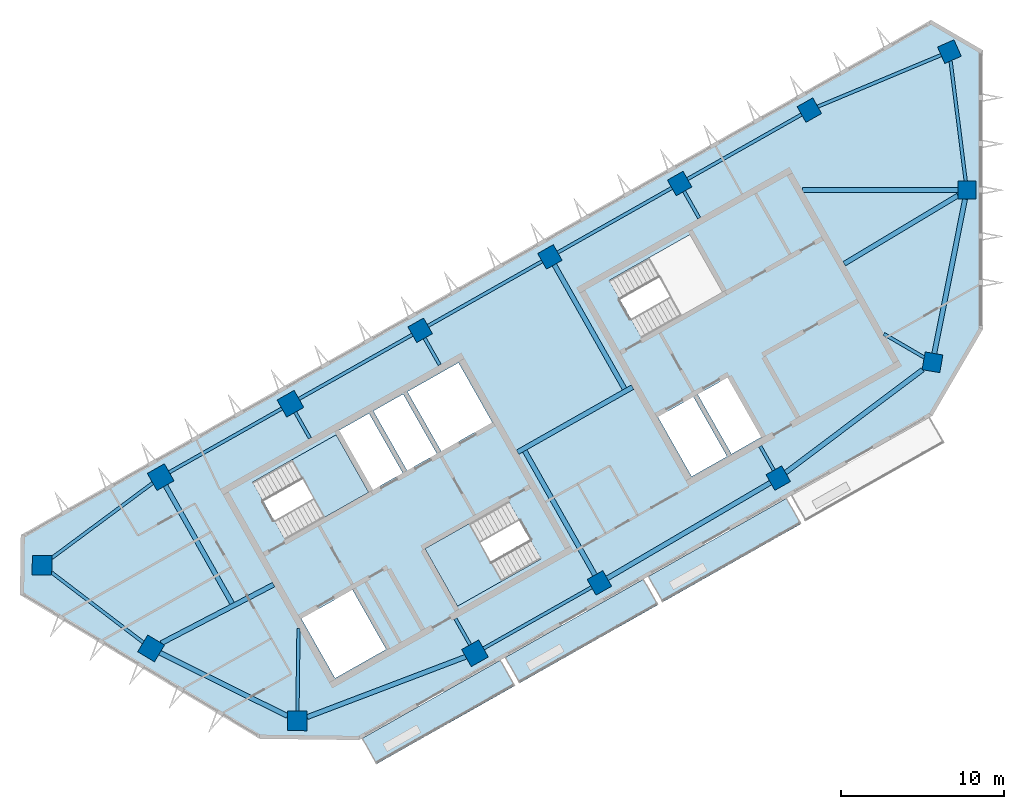
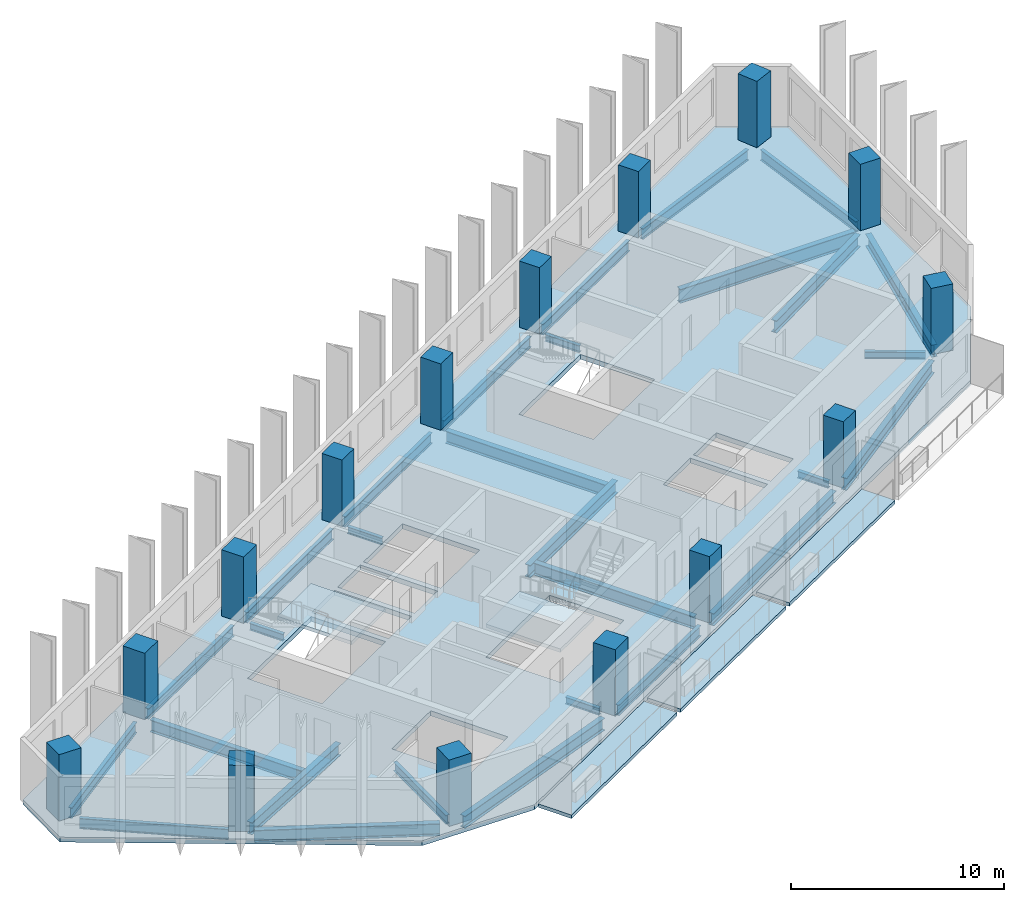
# One storey, part 1 of 8: 29 beams, 15 columns, 6 slabs, 2 elements without a shape of their own.
"""IFC4 building model written with IfcOpenShell, lengths in metres."""

from ifc_helpers import new_model, si_unit, direction, frame, origin, origin_2d, place, context, subcontext, project, spatial, polyline, rectangle, i_section, outline, extrude, material, layer, layer_set, material_profile, profile_set, type_object, element, aggregate, save


model = new_model("IFC4")

# Units and contexts
model_context = context("Model", 3, precision=1e-05, world=origin(), true_north=direction((0.0, 1.0)))
body_context = subcontext(model_context, "Body", "Model", "MODEL_VIEW")
ifc_project = project(units=[si_unit("LENGTHUNIT", "METRE"), si_unit("AREAUNIT", "SQUARE_METRE"), si_unit("VOLUMEUNIT", "CUBIC_METRE"), si_unit("PLANEANGLEUNIT", "RADIAN"), si_unit("MASSUNIT", "GRAM", prefix="KILO")], contexts=[model_context])

# Site, building, storey
site_placement = place(None, origin())
site = spatial("IfcSite", under=ifc_project, at=site_placement, CompositionType="ELEMENT")
building_placement = place(site_placement, origin())
building = spatial("IfcBuilding", under=site, at=building_placement, Name="Binnacle Exchange Tower", CompositionType="ELEMENT")
storey_placement = place(building_placement, frame((0.0, 0.0, 300.699951171875)))
storey = spatial("IfcBuildingStorey", under=building, at=storey_placement, Name="L67", CompositionType="ELEMENT", Elevation=300.699951171875)

# Columns
ifc_material_1 = material(Name="Concrete C60/75", Category="concrete")
ifc_material_profile_1 = material_profile(ifc_material_1, rectangle(XDim=1.10009765625, YDim=1.10009765625, at=origin_2d()), Name="Mega column 1100x1100 C60/75")
ifc_profile_set_1 = profile_set([ifc_material_profile_1], Name="Concrete C60/75")
column_type_1 = type_object("IfcColumnType", Name="Mega column 1100x1100 C60/75", PredefinedType="COLUMN", material=ifc_profile_set_1)
for number, where, z_axis, x_axis, name in (
    (1, (-10.4951171875, 64.901611328125, 0.0), (0.0, 0.0, 1.0), (-0.87035569594, -0.492423560103, 0.0), "S:COL:MC38:L67"),
    (2, (-18.44140625, 60.406005859375, 0.0), (0.0, 0.0, 1.0), (-0.87035569594, -0.492423560103, 0.0), "S:COL:MC29:L67"),
    (3, (-26.3876953125, 55.91015625, 0.0), (0.0, 0.0, 1.0), (-0.87035569594, -0.492423560103, 0.0), "S:COL:MC21:L67"),
    (4, (-34.333740234375, 51.414306640625, 0.0), (0.0, 0.0, 1.0), (-0.87035569594, -0.492423560103, 0.0), "S:COL:MC13:L67"),
    (5, (-23.35595703125, 35.9462890625, 0.0), (0.0, 0.0, 1.0), (0.87035569594, 0.492423560103, 0.0), "S:COL:MC16:L67"),
    (6, (-2.955322265625, 49.45556640625, 0.0), (0.0, 0.0, 1.0), (-0.98522612636, 0.171258517854, 0.0), "S:COL:MC43:L67"),
    (7, (-0.85009765625, 60.0, 0.0), (0.0, 0.0, 1.0), (0.0, 1.0, 0.0), "S:COL:MC45:L67"),
    (8, (-1.920166015625, 68.4833984375, 0.0), (0.0, 0.0, 1.0), (-0.91471298536, -0.40410413808, 0.0), "S:COL:MC44:L67"),
    (9, (-12.39990234375, 42.36328125, 0.0), (0.0, 0.0, 1.0), (0.87035569594, 0.492423560103, 0.0), "S:COL:MC30:L67"),
):
    element("IfcColumn", number, at=place(storey_placement, frame(where, z_axis=z_axis, x_axis=x_axis)), inside=storey, type_object=column_type_1, Name=name, PredefinedType="COLUMN", context=body_context, shape_type="SweptSolid", body=[
        extrude(rectangle(XDim=1.10009765625, YDim=1.10009765625, at=origin_2d()), origin(), (0.0, 0.0, 1.0), 3.800048828125),
    ])
ifc_material_profile_2 = material_profile(ifc_material_1, rectangle(XDim=1.199951171875, YDim=1.199951171875, at=origin_2d()), Name="Mega column 1200x1200 C60/75")
ifc_profile_set_2 = profile_set([ifc_material_profile_2], Name="Concrete C60/75")
column_type_2 = type_object("IfcColumnType", Name="Mega column 1200x1200 C60/75", PredefinedType="COLUMN", material=ifc_profile_set_2)
for number, where, z_axis, x_axis, name in (
    (10, (-42.280029296875, 46.918701171875, 0.0), (0.0, 0.0, 1.0), (-0.87035569594, -0.492423560103, 0.0), "S:COL:MC08:L67"),
    (11, (-50.226318359375, 42.4228515625, 0.0), (0.0, 0.0, 1.0), (-0.87035569594, -0.492423560103, 0.0), "S:COL:MC04:L67"),
    (12, (-57.492919921875, 37.02734375, 0.0), (0.0, 0.0, 1.0), (-0.013089595571, -0.999914327574, 0.0), "S:COL:MC02:L67"),
    (13, (-50.81201171875, 31.930908203125, 0.0), (0.0, 0.0, 1.0), (0.857167300702, -0.51503807491, 0.0), "S:COL:MC01:L67"),
    (14, (-41.857666015625, 27.494873046875, 0.0), (0.0, 0.0, 1.0), (0.999914327574, -0.013089595571, 0.0), "S:COL:MC03:L67"),
    (15, (-30.9755859375, 31.63525390625, 0.0), (0.0, 0.0, 1.0), (0.87035569594, 0.492423560103, 0.0), "S:COL:MC07:L67"),
):
    element("IfcColumn", number, at=place(storey_placement, frame(where, z_axis=z_axis, x_axis=x_axis)), inside=storey, type_object=column_type_2, Name=name, PredefinedType="COLUMN", context=body_context, shape_type="SweptSolid", body=[
        extrude(rectangle(XDim=1.199951171875, YDim=1.199951171875, at=origin_2d()), origin(), (0.0, 0.0, 1.0), 3.800048828125),
    ])

# Beams
ifc_material_2 = material(Name="Steel S355 (SHN355)", Category="steel")
ifc_material_profile_3 = material_profile(ifc_material_2, i_section(OverallWidth=0.199951171875, OverallDepth=0.60009765625, WebThickness=0.010986328125, FlangeThickness=0.01708984375, FilletRadius=0.02197265625, at=origin_2d()), Name="H 600x200x11x17")
ifc_profile_set_3 = profile_set([ifc_material_profile_3], Name="Steel S355 (SHN355)")
beam_type_1 = type_object("IfcBeamType", Name="Edge girder H 600x200x11x17 Steel S355 (SHN355)", PredefinedType="SPANDREL", material=ifc_profile_set_3)
beam_1_placement = place(storey_placement, frame((-56.89892578125, 36.57421875, -0.579833984375), z_axis=(0.795079526259, -0.606505191176, 0.0), x_axis=(0.606505191176, 0.795079526259, 0.0)))
element("IfcBeam", 16, at=beam_1_placement, inside=storey, type_object=beam_type_1, Name="S:BM:edge:L67:004", PredefinedType="SPANDREL", context=body_context, shape_type="SweptSolid", body=[
    extrude(i_section(OverallWidth=0.199951171875, OverallDepth=0.60009765625, WebThickness=0.010986328125, FlangeThickness=0.01708984375, FilletRadius=0.02197265625, at=origin_2d()), origin(), (0.0, 0.0, 1.0), 7.052001953125),
])
ifc_material_profile_4 = material_profile(ifc_material_2, i_section(OverallWidth=0.200927734375, OverallDepth=0.60595703125, WebThickness=0.011962890625, FlangeThickness=0.02001953125, FilletRadius=0.02197265625, at=origin_2d()), Name="H 606x201x12x20")
ifc_profile_set_4 = profile_set([ifc_material_profile_4], Name="Steel S355 (SHN355)")
beam_type_2 = type_object("IfcBeamType", Name="Edge girder H 606x201x12x20 Steel S355 (SHN355)", PredefinedType="SPANDREL", material=ifc_profile_set_4)
beam_2_placement = place(storey_placement, frame((-50.711669921875, 42.0625, -0.5830078125), z_axis=(-0.802889255085, -0.596128211099, 0.0), x_axis=(0.596128211099, -0.802889255085, 0.0)))
element("IfcBeam", 17, at=beam_2_placement, inside=storey, type_object=beam_type_2, Name="S:BM:edge:L67:005", PredefinedType="SPANDREL", context=body_context, shape_type="SweptSolid", body=[
    extrude(i_section(OverallWidth=0.200927734375, OverallDepth=0.60595703125, WebThickness=0.011962890625, FlangeThickness=0.02001953125, FilletRadius=0.02197265625, at=origin_2d()), origin(), (0.0, 0.0, 1.0), 7.691650390625),
])
beam_3_placement = place(storey_placement, frame((-30.453369140625, 31.930908203125, -0.5830078125), z_axis=(0.870370831478, 0.49239680717, 0.0), x_axis=(-0.49239680717, 0.870370831478, 0.0)))
element("IfcBeam", 18, at=beam_3_placement, inside=storey, type_object=beam_type_2, Name="S:BM:edge:L67:010", PredefinedType="SPANDREL", context=body_context, shape_type="SweptSolid", body=[
    extrude(i_section(OverallWidth=0.200927734375, OverallDepth=0.60595703125, WebThickness=0.011962890625, FlangeThickness=0.02001953125, FilletRadius=0.02197265625, at=origin_2d()), origin(), (0.0, 0.0, 1.0), 7.6044921875),
])
beam_4_placement = place(storey_placement, frame((-0.91943359375, 60.550048828125, -0.5830078125), z_axis=(-0.125160121745, 0.992136555079, 0.0), x_axis=(-0.992136555079, -0.125160121745, 0.0)))
element("IfcBeam", 19, at=beam_4_placement, inside=storey, type_object=beam_type_2, Name="S:BM:edge:L67:018", PredefinedType="SPANDREL", context=body_context, shape_type="SweptSolid", body=[
    extrude(i_section(OverallWidth=0.200927734375, OverallDepth=0.60595703125, WebThickness=0.011962890625, FlangeThickness=0.02001953125, FilletRadius=0.02197265625, at=origin_2d()), origin(), (0.0, 0.0, 1.0), 7.422119140625),
])
ifc_material_profile_5 = material_profile(ifc_material_2, i_section(OverallWidth=0.201904296875, OverallDepth=0.612060546875, WebThickness=0.012939453125, FlangeThickness=0.02294921875, FilletRadius=0.02197265625, at=origin_2d()), Name="H 612x202x13x23")
ifc_profile_set_5 = profile_set([ifc_material_profile_5], Name="Steel S355 (SHN355)")
beam_type_3 = type_object("IfcBeamType", Name="Edge girder H 612x202x13x23 Steel S355 (SHN355)", PredefinedType="SPANDREL", material=ifc_profile_set_5)
beam_5_placement = place(storey_placement, frame((-42.80224609375, 46.623291015625, -0.5859375), z_axis=(-0.870360926906, -0.492414314288, 0.0), x_axis=(0.492414314288, -0.870360926906, 0.0)))
element("IfcBeam", 20, at=beam_5_placement, inside=storey, type_object=beam_type_3, Name="S:BM:edge:L67:007", PredefinedType="SPANDREL", context=body_context, shape_type="SweptSolid", body=[
    extrude(i_section(OverallWidth=0.201904296875, OverallDepth=0.612060546875, WebThickness=0.012939453125, FlangeThickness=0.02294921875, FilletRadius=0.02197265625, at=origin_2d()), origin(), (0.0, 0.0, 1.0), 7.929931640625),
])
beam_6_placement = place(storey_placement, frame((-34.8125, 51.1435546875, -0.5859375), z_axis=(-0.870357059543, -0.492421149935, 0.0), x_axis=(0.492421149935, -0.870357059543, 0.0)))
element("IfcBeam", 21, at=beam_6_placement, inside=storey, type_object=beam_type_3, Name="S:BM:edge:L67:009", PredefinedType="SPANDREL", context=body_context, shape_type="SweptSolid", body=[
    extrude(i_section(OverallWidth=0.201904296875, OverallDepth=0.612060546875, WebThickness=0.012939453125, FlangeThickness=0.02294921875, FilletRadius=0.02197265625, at=origin_2d()), origin(), (0.0, 0.0, 1.0), 7.979736328125),
])
beam_7_placement = place(storey_placement, frame((-26.8662109375, 55.639404296875, -0.5859375), z_axis=(-0.870353240257, -0.492427900482, 0.0), x_axis=(0.492427900482, -0.870353240257, 0.0)))
element("IfcBeam", 22, at=beam_7_placement, inside=storey, type_object=beam_type_3, Name="S:BM:edge:L67:011", PredefinedType="SPANDREL", context=body_context, shape_type="SweptSolid", body=[
    extrude(i_section(OverallWidth=0.201904296875, OverallDepth=0.612060546875, WebThickness=0.012939453125, FlangeThickness=0.02294921875, FilletRadius=0.02197265625, at=origin_2d()), origin(), (0.0, 0.0, 1.0), 8.02978515625),
])
beam_8_placement = place(storey_placement, frame((-18.919921875, 60.13525390625, -0.5859375), z_axis=(-0.870347582166, -0.492437900875, 0.0), x_axis=(0.492437900875, -0.870347582166, 0.0)))
element("IfcBeam", 23, at=beam_8_placement, inside=storey, type_object=beam_type_3, Name="S:BM:edge:L67:013", PredefinedType="SPANDREL", context=body_context, shape_type="SweptSolid", body=[
    extrude(i_section(OverallWidth=0.201904296875, OverallDepth=0.612060546875, WebThickness=0.012939453125, FlangeThickness=0.02294921875, FilletRadius=0.02197265625, at=origin_2d()), origin(), (0.0, 0.0, 1.0), 8.030029296875),
])
beam_9_placement = place(storey_placement, frame((-10.973876953125, 64.630859375, -0.5859375), z_axis=(-0.870353240257, -0.492427900482, 0.0), x_axis=(0.492427900482, -0.870353240257, 0.0)))
element("IfcBeam", 24, at=beam_9_placement, inside=storey, type_object=beam_type_3, Name="S:BM:edge:L67:015", PredefinedType="SPANDREL", context=body_context, shape_type="SweptSolid", body=[
    extrude(i_section(OverallWidth=0.201904296875, OverallDepth=0.612060546875, WebThickness=0.012939453125, FlangeThickness=0.02294921875, FilletRadius=0.02197265625, at=origin_2d()), origin(), (0.0, 0.0, 1.0), 8.02978515625),
])
beam_10_placement = place(storey_placement, frame((-2.427734375, 68.271240234375, -0.5859375), z_axis=(-0.922746687756, -0.385406992977, 0.0), x_axis=(0.385406992977, -0.922746687756, 0.0)))
element("IfcBeam", 25, at=beam_10_placement, inside=storey, type_object=beam_type_3, Name="S:BM:edge:L67:017", PredefinedType="SPANDREL", context=body_context, shape_type="SweptSolid", body=[
    extrude(i_section(OverallWidth=0.201904296875, OverallDepth=0.612060546875, WebThickness=0.012939453125, FlangeThickness=0.02294921875, FilletRadius=0.02197265625, at=origin_2d()), origin(), (0.0, 0.0, 1.0), 8.188720703125),
])
ifc_material_profile_6 = material_profile(ifc_material_2, i_section(OverallWidth=0.300048828125, OverallDepth=0.699951171875, WebThickness=0.012939453125, FlangeThickness=0.02392578125, FilletRadius=0.028076171875, at=origin_2d()), Name="H 700x300x13x24")
ifc_profile_set_6 = profile_set([ifc_material_profile_6], Name="Steel S355 (SHN355)")
beam_type_4 = type_object("IfcBeamType", Name="Edge girder H 700x300x13x24 Steel S355 (SHN355)", PredefinedType="SPANDREL", material=ifc_profile_set_6)
beam_11_placement = place(storey_placement, frame((-50.272705078125, 31.663818359375, -0.6298828125), z_axis=(0.896066323919, -0.443920199066, 0.0), x_axis=(0.443920199066, 0.896066323919, 0.0)))
element("IfcBeam", 26, at=beam_11_placement, inside=storey, type_object=beam_type_4, Name="S:BM:edge:L67:006", PredefinedType="SPANDREL", context=body_context, shape_type="SweptSolid", body=[
    extrude(i_section(OverallWidth=0.300048828125, OverallDepth=0.699951171875, WebThickness=0.012939453125, FlangeThickness=0.02392578125, FilletRadius=0.028076171875, at=origin_2d()), origin(), (0.0, 0.0, 1.0), 8.725830078125),
])
beam_12_placement = place(storey_placement, frame((-41.254638671875, 27.724365234375, -0.6298828125), z_axis=(0.934635421438, 0.355607408519, 0.0), x_axis=(-0.355607408519, 0.934635421438, 0.0)))
element("IfcBeam", 27, at=beam_12_placement, inside=storey, type_object=beam_type_4, Name="S:BM:edge:L67:008", PredefinedType="SPANDREL", context=body_context, shape_type="SweptSolid", body=[
    extrude(i_section(OverallWidth=0.300048828125, OverallDepth=0.699951171875, WebThickness=0.012939453125, FlangeThickness=0.02392578125, FilletRadius=0.028076171875, at=origin_2d()), origin(), (0.0, 0.0, 1.0), 10.390869140625),
])
beam_13_placement = place(storey_placement, frame((-11.95654296875, 42.6962890625, -0.6298828125), z_axis=(0.799642767002, 0.600476015493, 0.0), x_axis=(-0.600476015493, 0.799642767002, 0.0)))
element("IfcBeam", 28, at=beam_13_placement, inside=storey, type_object=beam_type_4, Name="S:BM:edge:L67:014", PredefinedType="SPANDREL", context=body_context, shape_type="SweptSolid", body=[
    extrude(i_section(OverallWidth=0.300048828125, OverallDepth=0.699951171875, WebThickness=0.012939453125, FlangeThickness=0.02392578125, FilletRadius=0.028076171875, at=origin_2d()), origin(), (0.0, 0.0, 1.0), 10.50146484375),
])
beam_14_placement = place(storey_placement, frame((-2.84765625, 49.9951171875, -0.6298828125), z_axis=(0.195814210945, 0.980641012191, 0.0), x_axis=(-0.980641012191, 0.195814210945, 0.0)))
element("IfcBeam", 29, at=beam_14_placement, inside=storey, type_object=beam_type_4, Name="S:BM:edge:L67:016", PredefinedType="SPANDREL", context=body_context, shape_type="SweptSolid", body=[
    extrude(i_section(OverallWidth=0.300048828125, OverallDepth=0.699951171875, WebThickness=0.012939453125, FlangeThickness=0.02392578125, FilletRadius=0.028076171875, at=origin_2d()), origin(), (0.0, 0.0, 1.0), 9.6416015625),
])
ifc_material_profile_7 = material_profile(ifc_material_2, i_section(OverallWidth=0.302001953125, OverallDepth=0.7080078125, WebThickness=0.014892578125, FlangeThickness=0.028076171875, FilletRadius=0.028076171875, at=origin_2d()), Name="H 708x302x15x28")
ifc_profile_set_7 = profile_set([ifc_material_profile_7], Name="Steel S355 (SHN355)")
beam_type_5 = type_object("IfcBeamType", Name="Edge girder H 708x302x15x28 Steel S355 (SHN355)", PredefinedType="SPANDREL", material=ifc_profile_set_7)
beam_15_placement = place(storey_placement, frame((-22.88134765625, 36.22412109375, -0.634033203125), z_axis=(0.86288572191, 0.50539908085, 0.0), x_axis=(-0.50539908085, 0.86288572191, 0.0)))
element("IfcBeam", 30, at=beam_15_placement, inside=storey, type_object=beam_type_5, Name="S:BM:edge:L67:012", PredefinedType="SPANDREL", context=body_context, shape_type="SweptSolid", body=[
    extrude(i_section(OverallWidth=0.302001953125, OverallDepth=0.7080078125, WebThickness=0.014892578125, FlangeThickness=0.028076171875, FilletRadius=0.028076171875, at=origin_2d()), origin(), (0.0, 0.0, 1.0), 11.596923828125),
])
ifc_material_profile_8 = material_profile(ifc_material_2, i_section(OverallWidth=0.199951171875, OverallDepth=0.39990234375, WebThickness=0.008056640625, FlangeThickness=0.012939453125, FilletRadius=0.01611328125, at=origin_2d()), Name="H 400x200x8x13")
ifc_profile_set_8 = profile_set([ifc_material_profile_8], Name="Steel S355 (SHN355)")
beam_type_6 = type_object("IfcBeamType", Name="Floor beam H 400x200x8x13 Steel S355 (SHN355)", PredefinedType="BEAM", material=ifc_profile_set_8)
beam_16_placement = place(storey_placement, frame((-41.984619140625, 46.396484375, -0.47998046875), z_axis=(0.492465079532, -0.87033220407, 0.0), x_axis=(0.87033220407, 0.492465079532, 0.0)))
element("IfcBeam", 31, at=beam_16_placement, inside=storey, type_object=beam_type_6, Name="S:BM:cross:L67:020", PredefinedType="BEAM", context=body_context, shape_type="SweptSolid", body=[
    extrude(i_section(OverallWidth=0.199951171875, OverallDepth=0.39990234375, WebThickness=0.008056640625, FlangeThickness=0.012939453125, FilletRadius=0.01611328125, at=origin_2d()), origin(), (0.0, 0.0, 1.0), 1.834228515625),
])
beam_17_placement = place(storey_placement, frame((-34.06298828125, 50.935791015625, -0.47998046875), z_axis=(0.492437150105, -0.870348006947, 0.0), x_axis=(0.870348006947, 0.492437150105, 0.0)))
element("IfcBeam", 32, at=beam_17_placement, inside=storey, type_object=beam_type_6, Name="S:BM:cross:L67:022", PredefinedType="BEAM", context=body_context, shape_type="SweptSolid", body=[
    extrude(i_section(OverallWidth=0.199951171875, OverallDepth=0.39990234375, WebThickness=0.008056640625, FlangeThickness=0.012939453125, FilletRadius=0.01611328125, at=origin_2d()), origin(), (0.0, 0.0, 1.0), 1.884521484375),
])
beam_18_placement = place(storey_placement, frame((-31.27099609375, 32.157470703125, -0.47998046875), z_axis=(-0.492465079532, 0.87033220407, 0.0), x_axis=(-0.87033220407, -0.492465079532, 0.0)))
element("IfcBeam", 33, at=beam_18_placement, inside=storey, type_object=beam_type_6, Name="S:BM:cross:L67:023", PredefinedType="BEAM", context=body_context, shape_type="SweptSolid", body=[
    extrude(i_section(OverallWidth=0.199951171875, OverallDepth=0.39990234375, WebThickness=0.008056640625, FlangeThickness=0.012939453125, FilletRadius=0.01611328125, at=origin_2d()), origin(), (0.0, 0.0, 1.0), 1.834228515625),
])
beam_19_placement = place(storey_placement, frame((-18.17041015625, 59.92724609375, -0.47998046875), z_axis=(0.492394529663, -0.870372119934, 0.0), x_axis=(0.870372119934, 0.492394529663, 0.0)))
element("IfcBeam", 34, at=beam_19_placement, inside=storey, type_object=beam_type_6, Name="S:BM:cross:L67:026", PredefinedType="BEAM", context=body_context, shape_type="SweptSolid", body=[
    extrude(i_section(OverallWidth=0.199951171875, OverallDepth=0.39990234375, WebThickness=0.008056640625, FlangeThickness=0.012939453125, FilletRadius=0.01611328125, at=origin_2d()), origin(), (0.0, 0.0, 1.0), 1.884033203125),
])
beam_20_placement = place(storey_placement, frame((-12.6708984375, 42.841796875, -0.47998046875), z_axis=(-0.492394350893, 0.870372221069, 0.0), x_axis=(-0.870372221069, -0.492394350893, 0.0)))
element("IfcBeam", 35, at=beam_20_placement, inside=storey, type_object=beam_type_6, Name="S:BM:cross:L67:027", PredefinedType="BEAM", context=body_context, shape_type="SweptSolid", body=[
    extrude(i_section(OverallWidth=0.199951171875, OverallDepth=0.39990234375, WebThickness=0.008056640625, FlangeThickness=0.012939453125, FilletRadius=0.01611328125, at=origin_2d()), origin(), (0.0, 0.0, 1.0), 1.6943359375),
])
beam_21_placement = place(storey_placement, frame((-3.46240234375, 49.751220703125, -0.47998046875), z_axis=(-0.863840862356, 0.503764790874, 0.0), x_axis=(-0.503764790874, -0.863840862356, 0.0)))
element("IfcBeam", 36, at=beam_21_placement, inside=storey, type_object=beam_type_6, Name="S:BM:cross:L67:028", PredefinedType="BEAM", context=body_context, shape_type="SweptSolid", body=[
    extrude(i_section(OverallWidth=0.199951171875, OverallDepth=0.39990234375, WebThickness=0.008056640625, FlangeThickness=0.012939453125, FilletRadius=0.01611328125, at=origin_2d()), origin(), (0.0, 0.0, 1.0), 2.85791015625),
])
ifc_material_profile_9 = material_profile(ifc_material_2, i_section(OverallWidth=0.200927734375, OverallDepth=0.506103515625, WebThickness=0.010986328125, FlangeThickness=0.01904296875, FilletRadius=0.02001953125, at=origin_2d()), Name="H 506x201x11x19")
ifc_profile_set_9 = profile_set([ifc_material_profile_9], Name="Steel S355 (SHN355)")
beam_type_7 = type_object("IfcBeamType", Name="Floor beam H 506x201x11x19 Steel S355 (SHN355)", PredefinedType="BEAM", material=ifc_profile_set_9)
beam_22_placement = place(storey_placement, frame((-41.849853515625, 28.0947265625, -0.532958984375), z_axis=(0.013099523714, 0.999914197558, 0.0), x_axis=(-0.999914197558, 0.013099523714, 0.0)))
element("IfcBeam", 37, at=beam_22_placement, inside=storey, type_object=beam_type_7, Name="S:BM:cross:L67:021", PredefinedType="BEAM", context=body_context, shape_type="SweptSolid", body=[
    extrude(i_section(OverallWidth=0.200927734375, OverallDepth=0.506103515625, WebThickness=0.010986328125, FlangeThickness=0.01904296875, FilletRadius=0.02001953125, at=origin_2d()), origin(), (0.0, 0.0, 1.0), 5.05078125),
])
ifc_material_profile_10 = material_profile(ifc_material_2, i_section(OverallWidth=0.300048828125, OverallDepth=0.699951171875, WebThickness=0.012939453125, FlangeThickness=0.02392578125, FilletRadius=0.028076171875, at=origin_2d()), Name="H 700x300x13x24")
ifc_profile_set_10 = profile_set([ifc_material_profile_10], Name="Steel S355 (SHN355)")
beam_type_8 = type_object("IfcBeamType", Name="Floor beam H 700x300x13x24 Steel S355 (SHN355)", PredefinedType="BEAM", material=ifc_profile_set_10)
beam_23_placement = place(storey_placement, frame((-49.9306640625, 41.900634765625, -0.6298828125), z_axis=(0.492421066821, -0.870357106566, 0.0), x_axis=(0.870357106566, 0.492421066821, 0.0)))
element("IfcBeam", 38, at=beam_23_placement, inside=storey, type_object=beam_type_8, Name="S:BM:cross:L67:019", PredefinedType="BEAM", context=body_context, shape_type="SweptSolid", body=[
    extrude(i_section(OverallWidth=0.300048828125, OverallDepth=0.699951171875, WebThickness=0.012939453125, FlangeThickness=0.02392578125, FilletRadius=0.028076171875, at=origin_2d()), origin(), (0.0, 0.0, 1.0), 8.291259765625),
])
ifc_material_profile_11 = material_profile(ifc_material_2, i_section(OverallWidth=0.302001953125, OverallDepth=0.7080078125, WebThickness=0.014892578125, FlangeThickness=0.028076171875, FilletRadius=0.028076171875, at=origin_2d()), Name="H 708x302x15x28")
ifc_profile_set_11 = profile_set([ifc_material_profile_11], Name="Steel S355 (SHN355)")
beam_type_9 = type_object("IfcBeamType", Name="Floor beam H 708x302x15x28 Steel S355 (SHN355)", PredefinedType="BEAM", material=ifc_profile_set_11)
beam_24_placement = place(storey_placement, frame((-26.11669921875, 55.431396484375, -0.634033203125), z_axis=(0.492413671625, -0.870361290497, 0.0), x_axis=(0.870361290497, 0.492413671625, 0.0)))
element("IfcBeam", 39, at=beam_24_placement, inside=storey, type_object=beam_type_9, Name="S:BM:cross:L67:024", PredefinedType="BEAM", context=body_context, shape_type="SweptSolid", body=[
    extrude(i_section(OverallWidth=0.302001953125, OverallDepth=0.7080078125, WebThickness=0.014892578125, FlangeThickness=0.028076171875, FilletRadius=0.028076171875, at=origin_2d()), origin(), (0.0, 0.0, 1.0), 8.734130859375),
])
beam_25_placement = place(storey_placement, frame((-23.626708984375, 36.4248046875, -0.634033203125), z_axis=(-0.492422866295, 0.870356088477, 0.0), x_axis=(-0.870356088477, -0.492422866295, 0.0)))
element("IfcBeam", 40, at=beam_25_placement, inside=storey, type_object=beam_type_9, Name="S:BM:cross:L67:025", PredefinedType="BEAM", context=body_context, shape_type="SweptSolid", body=[
    extrude(i_section(OverallWidth=0.302001953125, OverallDepth=0.7080078125, WebThickness=0.014892578125, FlangeThickness=0.028076171875, FilletRadius=0.028076171875, at=origin_2d()), origin(), (0.0, 0.0, 1.0), 8.734375),
])
ifc_material_profile_12 = material_profile(ifc_material_2, i_section(OverallWidth=0.300048828125, OverallDepth=0.800048828125, WebThickness=0.013916015625, FlangeThickness=0.02587890625, FilletRadius=0.028076171875, at=origin_2d()), Name="H 800x300x14x26")
ifc_profile_set_12 = profile_set([ifc_material_profile_12], Name="Steel S355 (SHN355)")
beam_type_10 = type_object("IfcBeamType", Name="Floor beam H 800x300x14x26 Steel S355 (SHN355)", PredefinedType="BEAM", material=ifc_profile_set_12)
beam_26_placement = place(storey_placement, frame((-1.39990234375, 60.0, -0.679931640625), z_axis=(-1.0, 0.0, 0.0), x_axis=(0.0, -1.0, 0.0)))
element("IfcBeam", 41, at=beam_26_placement, inside=storey, type_object=beam_type_10, Name="S:BM:cross:L67:029", PredefinedType="BEAM", context=body_context, shape_type="SweptSolid", body=[
    extrude(i_section(OverallWidth=0.300048828125, OverallDepth=0.800048828125, WebThickness=0.013916015625, FlangeThickness=0.02587890625, FilletRadius=0.028076171875, at=origin_2d()), origin(), (0.0, 0.0, 1.0), 9.51513671875),
])
ifc_material_profile_13 = material_profile(ifc_material_2, i_section(OverallWidth=0.300048828125, OverallDepth=0.699951171875, WebThickness=0.012939453125, FlangeThickness=0.02392578125, FilletRadius=0.028076171875, at=origin_2d()), Name="H 700x300x13x24")
ifc_profile_set_13 = profile_set([ifc_material_profile_13], Name="Steel S355 (SHN355)")
beam_type_11 = type_object("IfcBeamType", Name="Spine girder H 700x300x13x24 Steel S355 (SHN355)", PredefinedType="BEAM", material=ifc_profile_set_13)
beam_27_placement = place(storey_placement, frame((-50.18798828125, 32.255859375, -0.6298828125), z_axis=(0.886980159322, 0.461807532387, 0.0), x_axis=(-0.461807532387, 0.886980159322, 0.0)))
element("IfcBeam", 42, at=beam_27_placement, inside=storey, type_object=beam_type_11, Name="S:BM:spine:L67:001", PredefinedType="BEAM", context=body_context, shape_type="SweptSolid", body=[
    extrude(i_section(OverallWidth=0.300048828125, OverallDepth=0.699951171875, WebThickness=0.012939453125, FlangeThickness=0.02392578125, FilletRadius=0.028076171875, at=origin_2d()), origin(), (0.0, 0.0, 1.0), 7.757080078125),
])
beam_28_placement = place(storey_placement, frame((-8.36328125, 55.489990234375, -0.6298828125), z_axis=(0.857389464427, 0.514668151618, 0.0), x_axis=(-0.514668151618, 0.857389464427, 0.0)))
element("IfcBeam", 43, at=beam_28_placement, inside=storey, type_object=beam_type_11, Name="S:BM:spine:L67:003", PredefinedType="BEAM", context=body_context, shape_type="SweptSolid", body=[
    extrude(i_section(OverallWidth=0.300048828125, OverallDepth=0.699951171875, WebThickness=0.012939453125, FlangeThickness=0.02392578125, FilletRadius=0.028076171875, at=origin_2d()), origin(), (0.0, 0.0, 1.0), 8.12158203125),
])
ifc_material_profile_14 = material_profile(ifc_material_2, i_section(OverallWidth=0.302001953125, OverallDepth=0.7080078125, WebThickness=0.014892578125, FlangeThickness=0.028076171875, FilletRadius=0.028076171875, at=origin_2d()), Name="H 708x302x15x28")
ifc_profile_set_14 = profile_set([ifc_material_profile_14], Name="Steel S355 (SHN355)")
beam_type_12 = type_object("IfcBeamType", Name="Spine girder H 708x302x15x28 Steel S355 (SHN355)", PredefinedType="BEAM", material=ifc_profile_set_14)
beam_29_placement = place(storey_placement, frame((-28.365478515625, 43.951416015625, -0.634033203125), z_axis=(0.870350319004, 0.492433063684, 0.0), x_axis=(-0.492433063684, 0.870350319004, 0.0)))
element("IfcBeam", 44, at=beam_29_placement, inside=storey, type_object=beam_type_12, Name="S:BM:spine:L67:002", PredefinedType="BEAM", context=body_context, shape_type="SweptSolid", body=[
    extrude(i_section(OverallWidth=0.302001953125, OverallDepth=0.7080078125, WebThickness=0.014892578125, FlangeThickness=0.028076171875, FilletRadius=0.028076171875, at=origin_2d()), origin(), (0.0, 0.0, 1.0), 8.0908203125),
])

# Slabs
ifc_material_3 = material(Name="Concrete C35/45", Category="concrete")
ifc_layer_1 = layer(ifc_material_3, 0.199951171875)
ifc_layer_set_1 = layer_set([ifc_layer_1], Name="BALCONY SLAB 200")
slab_type_1 = type_object("IfcSlabType", Name="BALCONY SLAB 200", PredefinedType="FLOOR", material=ifc_layer_set_1)
slab_1_placement = place(storey_placement, frame((0.0, 0.0, -0.199951171875)))
element("IfcSlab", 45, at=slab_1_placement, inside=storey, type_object=slab_type_1, Name="Balcony BA-H07-00 L67", PredefinedType="FLOOR", context=body_context, shape_type="SweptSolid", body=[
    extrude(outline(polyline([(-37.90576171875, 26.410400390625), (-29.40380859375, 31.220458984375), (-28.517578125, 29.65380859375), (-37.019287109375, 24.84375), (-37.90576171875, 26.410400390625)])), origin(), (0.0, 0.0, 1.0), 0.199951171875),
])
slab_2_placement = place(storey_placement, frame((0.0, 0.0, -0.199951171875)))
element("IfcSlab", 46, at=slab_2_placement, inside=storey, type_object=slab_type_1, Name="Balcony BA-H07-01 L67", PredefinedType="FLOOR", context=body_context, shape_type="SweptSolid", body=[
    extrude(outline(polyline([(-29.142822265625, 31.3681640625), (-20.64111328125, 36.17822265625), (-19.754638671875, 34.611572265625), (-28.25634765625, 29.801513671875), (-29.142822265625, 31.3681640625)])), origin(), (0.0, 0.0, 1.0), 0.199951171875),
])
slab_3_placement = place(storey_placement, frame((0.0, 0.0, -0.199951171875)))
element("IfcSlab", 47, at=slab_3_placement, inside=storey, type_object=slab_type_1, Name="Balcony BA-H07-02 L67", PredefinedType="FLOOR", context=body_context, shape_type="SweptSolid", body=[
    extrude(outline(polyline([(-20.3798828125, 36.325927734375), (-11.878173828125, 41.135986328125), (-10.99169921875, 39.5693359375), (-19.493408203125, 34.759521484375), (-20.3798828125, 36.325927734375)])), origin(), (0.0, 0.0, 1.0), 0.199951171875),
])
ifc_layer_2 = layer(ifc_material_3, 0.280029296875)
ifc_layer_set_2 = layer_set([ifc_layer_2], Name="Floor slab 280 Concrete C35/45")
slab_type_2 = type_object("IfcSlabType", Name="Floor slab 280 Concrete C35/45", PredefinedType="FLOOR", material=ifc_layer_set_2)
slab_4_placement = place(storey_placement, frame((0.0, 0.0, -0.280029296875)))
element("IfcSlab", 48, at=slab_4_placement, inside=storey, type_object=slab_type_2, Name="S:SL:L67:01", PredefinedType="FLOOR", context=body_context, shape_type="SweptSolid", body=[
    extrude(outline(polyline([(-38.097900390625, 26.4453125), (-44.14404296875, 26.5244140625), (-58.716064453125, 35.280029296875), (-58.669921875, 38.80615234375), (-3.046142578125, 70.276611328125), (0.0, 68.5), (0.0, 51.5), (-3.046142578125, 46.276611328125), (-38.097900390625, 26.4453125)]), holes=[polyline([(-38.4794921875, 35.529296875), (-41.61279296875, 33.756591796875), (-39.544677734375, 30.10107421875), (-36.411376953125, 31.873779296875), (-38.4794921875, 35.529296875)]), polyline([(-32.04638671875, 34.515625), (-26.9287109375, 37.4111328125), (-28.923095703125, 40.93603515625), (-34.040771484375, 38.04052734375), (-32.04638671875, 34.515625)]), polyline([(-39.480712890625, 45.01611328125), (-44.598388671875, 42.12060546875), (-42.604248046875, 38.595703125), (-37.486572265625, 41.4912109375), (-39.480712890625, 45.01611328125)]), polyline([(-37.4658203125, 46.32861328125), (-39.293701171875, 45.29443359375), (-37.225341796875, 41.638916015625), (-35.397705078125, 42.673095703125), (-37.4658203125, 46.32861328125)]), polyline([(-17.598876953125, 47.343017578125), (-19.77490234375, 46.11181640625), (-17.70654296875, 42.456298828125), (-15.53076171875, 43.6875), (-17.598876953125, 47.343017578125)]), polyline([(-35.376953125, 47.51025390625), (-37.20458984375, 46.476318359375), (-35.136474609375, 42.82080078125), (-33.308837890625, 43.854736328125), (-35.376953125, 47.51025390625)]), polyline([(-15.510009765625, 48.52490234375), (-17.337890625, 47.49072265625), (-15.26953125, 43.835205078125), (-13.44189453125, 44.869384765625), (-15.510009765625, 48.52490234375)]), polyline([(-29.914306640625, 45.775390625), (-31.982666015625, 49.430908203125), (-35.115966796875, 47.657958984375), (-33.047607421875, 44.00244140625), (-29.914306640625, 45.775390625)]), polyline([(-15.822509765625, 53.748046875), (-17.81689453125, 57.27294921875), (-22.760498046875, 54.47607421875), (-20.76611328125, 50.950927734375), (-15.822509765625, 53.748046875)])]), origin(), (0.0, 0.0, 1.0), 0.280029296875),
])

# Stair, slab
stair_type = type_object("IfcStairType", Name="STAIR 22 RISERS 173", PredefinedType="HALF_TURN_STAIR", material=ifc_material_3)
stair_1_placement = place(storey_placement, origin())
stair_1 = element("IfcStair", 49, at=stair_1_placement, inside=storey, type_object=stair_type, Name="L67 Escape stair A1", PredefinedType="HALF_TURN_STAIR")
ifc_layer_3 = layer(ifc_material_3, 0.199951171875)
ifc_layer_set_3 = layer_set([ifc_layer_3], Name="STAIR LANDING 200")
slab_type_3 = type_object("IfcSlabType", Name="STAIR LANDING 200", PredefinedType="LANDING", material=ifc_layer_set_3)
slab_5_placement = place(storey_placement, frame((0.0, 0.0, 1.699951171875)))
slab_5 = element("IfcSlab", 50, at=slab_5_placement, type_object=slab_type_3, Name="STA1 landing 1", PredefinedType="LANDING", context=body_context, shape_type="SweptSolid", body=[
    extrude(outline(polyline([(-40.2021484375, 39.954833984375), (-37.486572265625, 41.4912109375), (-39.48095703125, 45.01611328125), (-42.1962890625, 43.479736328125), (-40.2021484375, 39.954833984375)])), origin(), (0.0, 0.0, 1.0), 0.2001953125),
])
aggregate(stair_1, [slab_5])

stair_2_placement = place(storey_placement, origin())
stair_2 = element("IfcStair", 51, at=stair_2_placement, inside=storey, type_object=stair_type, Name="L67 Escape stair A2", PredefinedType="HALF_TURN_STAIR")
slab_6_placement = place(storey_placement, frame((0.0, 0.0, 1.699951171875)))
slab_6 = element("IfcSlab", 52, at=slab_6_placement, type_object=slab_type_3, Name="STA2 landing 1", PredefinedType="LANDING", context=body_context, shape_type="SweptSolid", body=[
    extrude(outline(polyline([(-31.3251953125, 39.576904296875), (-34.040771484375, 38.04052734375), (-32.04638671875, 34.515625), (-29.330810546875, 36.052001953125), (-31.3251953125, 39.576904296875)])), origin(), (0.0, 0.0, 1.0), 0.2001953125),
])
aggregate(stair_2, [slab_6])

save(model, "model.ifc")
